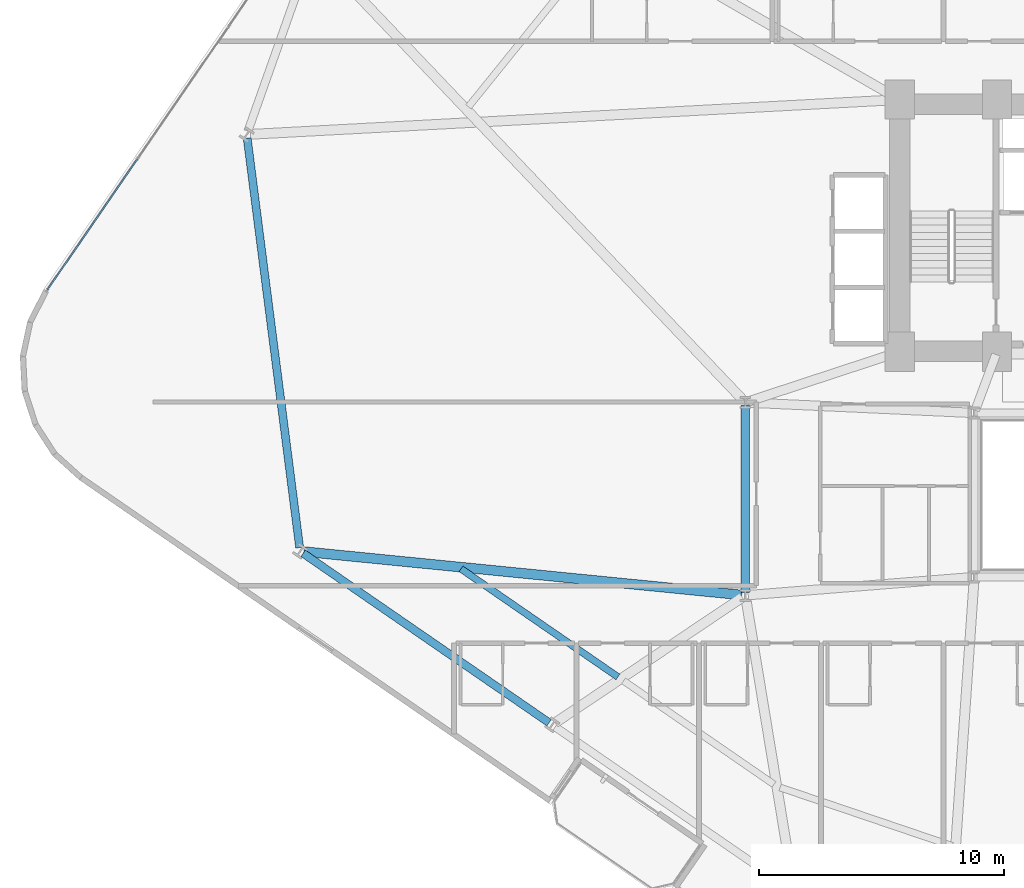
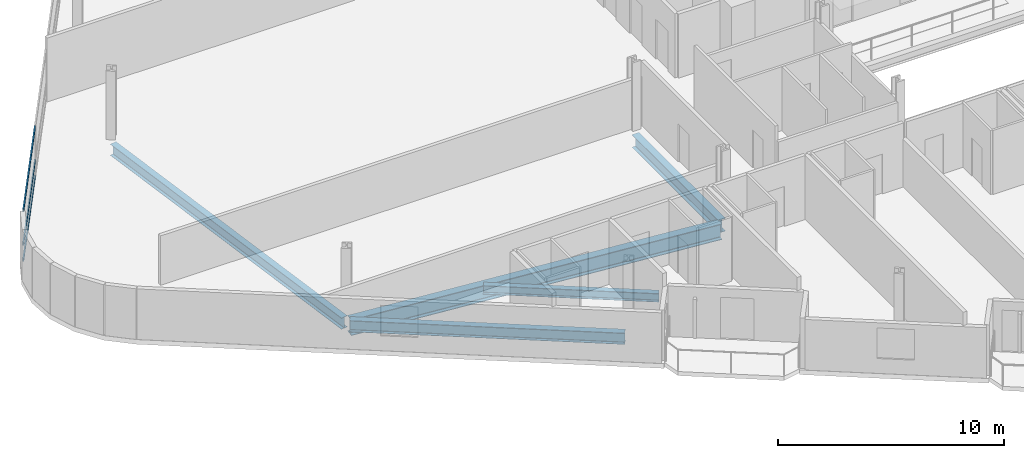
# One storey, part 3 of 25: 5 beams, 3 members, 1 element without a shape of its own.
"""IFC4 building model written with IfcOpenShell, lengths in metres."""

from ifc_helpers import new_model, si_unit, direction, frame, origin, origin_2d, place, context, subcontext, project, spatial, hollow_rectangle, i_section, extrude, material, layer, layer_set, material_profile, profile_set, type_object, element, aggregate, save


model = new_model("IFC4")

# Units and contexts
model_context = context("Model", 3, precision=1e-05, world=origin(), true_north=direction((0.0, 1.0)))
body_context = subcontext(model_context, "Body", "Model", "MODEL_VIEW")
ifc_project = project(units=[si_unit("LENGTHUNIT", "METRE"), si_unit("AREAUNIT", "SQUARE_METRE"), si_unit("VOLUMEUNIT", "CUBIC_METRE"), si_unit("PLANEANGLEUNIT", "RADIAN"), si_unit("MASSUNIT", "GRAM", prefix="KILO")], contexts=[model_context])

# Site, building, storey
site_placement = place(None, origin())
site = spatial("IfcSite", under=ifc_project, at=site_placement, CompositionType="ELEMENT")
building_placement = place(site_placement, origin())
building = spatial("IfcBuilding", under=site, at=building_placement, Name="Varnelok Gate Tower", CompositionType="ELEMENT")
storey_placement = place(building_placement, frame((0.0, 0.0, 34.39990234375)))
storey = spatial("IfcBuildingStorey", under=building, at=storey_placement, Name="L07", CompositionType="ELEMENT", Elevation=34.39990234375)

# Beams
ifc_material_1 = material(Name="Structural Steel ASTM A992 Grade 50", Category="steel")
ifc_material_profile_1 = material_profile(ifc_material_1, i_section(OverallWidth=0.280029296875, OverallDepth=0.462890625, WebThickness=0.0107421875, FlangeThickness=0.017333984375, FilletRadius=0.014892578125, at=origin_2d()), Name="W18X76")
ifc_profile_set_1 = profile_set([ifc_material_profile_1], Name="Structural Steel ASTM A992 Grade 50")
beam_type_1 = type_object("IfcBeamType", Name="BM-JST-W18X76", PredefinedType="JOIST", material=ifc_profile_set_1)
beam_1_placement = place(storey_placement, frame((12.78564453125, 19.88330078125, -0.4814453125), z_axis=(0.823532677522, -0.567268833141, 0.0), x_axis=(0.567268833141, 0.823532677522, 0.0)))
element("IfcBeam", 1, at=beam_1_placement, inside=storey, type_object=beam_type_1, Name="L07 Sector Floor Joist 1", PredefinedType="JOIST", context=body_context, shape_type="SweptSolid", body=[
    extrude(i_section(OverallWidth=0.280029296875, OverallDepth=0.462890625, WebThickness=0.0107421875, FlangeThickness=0.017333984375, FilletRadius=0.014892578125, at=origin_2d()), origin(), (0.0, 0.0, 1.0), 7.782470703125),
])
ifc_material_profile_2 = material_profile(ifc_material_1, i_section(OverallWidth=0.35498046875, OverallDepth=0.696044921875, WebThickness=0.015380859375, FlangeThickness=0.02490234375, FilletRadius=0.02001953125, at=origin_2d()), Name="W27X146")
ifc_profile_set_2 = profile_set([ifc_material_profile_2], Name="Structural Steel ASTM A992 Grade 50")
beam_type_2 = type_object("IfcBeamType", Name="BM-PRI-W27X146", PredefinedType="BEAM", material=ifc_profile_set_2)
beam_2_placement = place(storey_placement, frame((24.39990234375, 18.919921875, -0.597900390625), z_axis=(0.0, 1.0, 0.0), x_axis=(-1.0, 0.0, 0.0)))
element("IfcBeam", 2, at=beam_2_placement, inside=storey, type_object=beam_type_2, Name="L07 Core-Atrium Spine Beam 16", PredefinedType="BEAM", context=body_context, shape_type="SweptSolid", body=[
    extrude(i_section(OverallWidth=0.35498046875, OverallDepth=0.696044921875, WebThickness=0.015380859375, FlangeThickness=0.02490234375, FilletRadius=0.02001953125, at=origin_2d()), origin(), (0.0, 0.0, 1.0), 7.64013671875),
])
ifc_material_profile_3 = material_profile(ifc_material_1, i_section(OverallWidth=0.39892578125, OverallDepth=0.85498046875, WebThickness=0.018310546875, FlangeThickness=0.029296875, FilletRadius=0.02392578125, at=origin_2d()), Name="W33X201")
ifc_profile_set_3 = profile_set([ifc_material_profile_3], Name="Structural Steel ASTM A992 Grade 50")
beam_type_3 = type_object("IfcBeamType", Name="BM-PRI-W33X201", PredefinedType="BEAM", material=ifc_profile_set_3)
beam_3_placement = place(storey_placement, frame((24.250732421875, 18.814697265625, -0.677490234375), z_axis=(-0.995122218733, 0.098649732815, 0.0), x_axis=(-0.098649732815, -0.995122218733, 0.0)))
element("IfcBeam", 3, at=beam_3_placement, inside=storey, type_object=beam_type_3, Name="L07 Radial Floor Girder 1", PredefinedType="BEAM", context=body_context, shape_type="SweptSolid", body=[
    extrude(i_section(OverallWidth=0.39892578125, OverallDepth=0.85498046875, WebThickness=0.018310546875, FlangeThickness=0.029296875, FilletRadius=0.02392578125, at=origin_2d()), origin(), (0.0, 0.0, 1.0), 17.974609375),
])
ifc_material_profile_4 = material_profile(ifc_material_1, i_section(OverallWidth=0.323974609375, OverallDepth=0.611083984375, WebThickness=0.0126953125, FlangeThickness=0.01904296875, FilletRadius=0.01806640625, at=origin_2d()), Name="W24X104")
ifc_profile_set_4 = profile_set([ifc_material_profile_4], Name="Structural Steel ASTM A992 Grade 50")
beam_type_4 = type_object("IfcBeamType", Name="BM-SPN-W24X104", PredefinedType="SPANDREL", material=ifc_profile_set_4)
beam_4_placement = place(storey_placement, frame((6.337890625, 20.517578125, -0.555419921875), z_axis=(0.823540632156, -0.567257284826, 0.0), x_axis=(0.567257284826, 0.823540632156, 0.0)))
element("IfcBeam", 4, at=beam_4_placement, inside=storey, type_object=beam_type_4, Name="L07 Perimeter Spandrel Beam 1", PredefinedType="SPANDREL", context=body_context, shape_type="SweptSolid", body=[
    extrude(i_section(OverallWidth=0.323974609375, OverallDepth=0.611083984375, WebThickness=0.0126953125, FlangeThickness=0.01904296875, FilletRadius=0.01806640625, at=origin_2d()), origin(), (0.0, 0.0, 1.0), 12.2001953125),
])
beam_5_placement = place(storey_placement, frame((4.05224609375, 37.47509765625, -0.555419921875), z_axis=(0.127106601297, -0.991889062298, 0.0), x_axis=(0.991889062298, 0.127106601297, 0.0)))
element("IfcBeam", 5, at=beam_5_placement, inside=storey, type_object=beam_type_4, Name="L07 Perimeter Spandrel Beam 16", PredefinedType="SPANDREL", context=body_context, shape_type="SweptSolid", body=[
    extrude(i_section(OverallWidth=0.323974609375, OverallDepth=0.611083984375, WebThickness=0.0126953125, FlangeThickness=0.01904296875, FilletRadius=0.01806640625, at=origin_2d()), origin(), (0.0, 0.0, 1.0), 16.8603515625),
])

# Curtain wall, members
ifc_material_2 = material(Name="Anodized Aluminum Alloy 6063-T6", Category="aluminium")
ifc_layer = layer(ifc_material_2, 0.179931640625)
ifc_layer_set = layer_set([ifc_layer], Name="Anodized Aluminum Alloy 6063-T6")
curtain_wall_type = type_object("IfcCurtainWallType", Name="CW3-HOTEL-VISION", PredefinedType="USERDEFINED", material=ifc_layer_set)
curtain_wall_placement = place(storey_placement, origin())
curtain_wall = element("IfcCurtainWall", 6, at=curtain_wall_placement, inside=storey, type_object=curtain_wall_type, Name="L07 West End Vision Curtain Wall", ObjectType="UNITISED CURTAIN WALL", PredefinedType="USERDEFINED")
ifc_material_profile_5 = material_profile(ifc_material_2, hollow_rectangle(XDim=0.06494140625, YDim=0.159912109375, WallThickness=0.00390625, at=origin_2d()), Name="ALU160X65X4")
ifc_profile_set_5 = profile_set([ifc_material_profile_5], Name="Anodized Aluminum Alloy 6063-T6")
member_type = type_object("IfcMemberType", Name="CW-TRAN-160", PredefinedType="USERDEFINED", material=ifc_profile_set_5)
member_1_placement = place(storey_placement, frame((-4.10546875, 31.287353515625, 0.03271484375), z_axis=(0.567255754851, 0.823541686006, 0.0), x_axis=(-0.823541686006, 0.567255754851, 0.0)))
member_1 = element("IfcMember", 7, at=member_1_placement, type_object=member_type, Name="CW3 transom 1.1", ObjectType="TRANSOM", PredefinedType="USERDEFINED", context=body_context, shape_type="SweptSolid", body=[
    extrude(hollow_rectangle(XDim=0.06494140625, YDim=0.159912109375, WallThickness=0.00390625, at=origin_2d()), origin(), (0.0, 0.0, 1.0), 6.46923828125),
])
member_2_placement = place(storey_placement, frame((-4.10546875, 31.287353515625, 0.900146484375), z_axis=(0.567255754851, 0.823541686006, 0.0), x_axis=(-0.823541686006, 0.567255754851, 0.0)))
member_2 = element("IfcMember", 8, at=member_2_placement, type_object=member_type, Name="CW3 transom 1.2", ObjectType="TRANSOM", PredefinedType="USERDEFINED", context=body_context, shape_type="SweptSolid", body=[
    extrude(hollow_rectangle(XDim=0.06494140625, YDim=0.159912109375, WallThickness=0.00390625, at=origin_2d()), origin(), (0.0, 0.0, 1.0), 6.46923828125),
])
member_3_placement = place(storey_placement, frame((-4.10546875, 31.287353515625, 2.697509765625), z_axis=(0.567255754851, 0.823541686006, 0.0), x_axis=(-0.823541686006, 0.567255754851, 0.0)))
member_3 = element("IfcMember", 9, at=member_3_placement, type_object=member_type, Name="CW3 transom 1.3", ObjectType="TRANSOM", PredefinedType="USERDEFINED", context=body_context, shape_type="SweptSolid", body=[
    extrude(hollow_rectangle(XDim=0.06494140625, YDim=0.159912109375, WallThickness=0.00390625, at=origin_2d()), origin(), (0.0, 0.0, 1.0), 6.46923828125),
])
aggregate(curtain_wall, [member_1, member_2, member_3])

save(model, "model.ifc")
